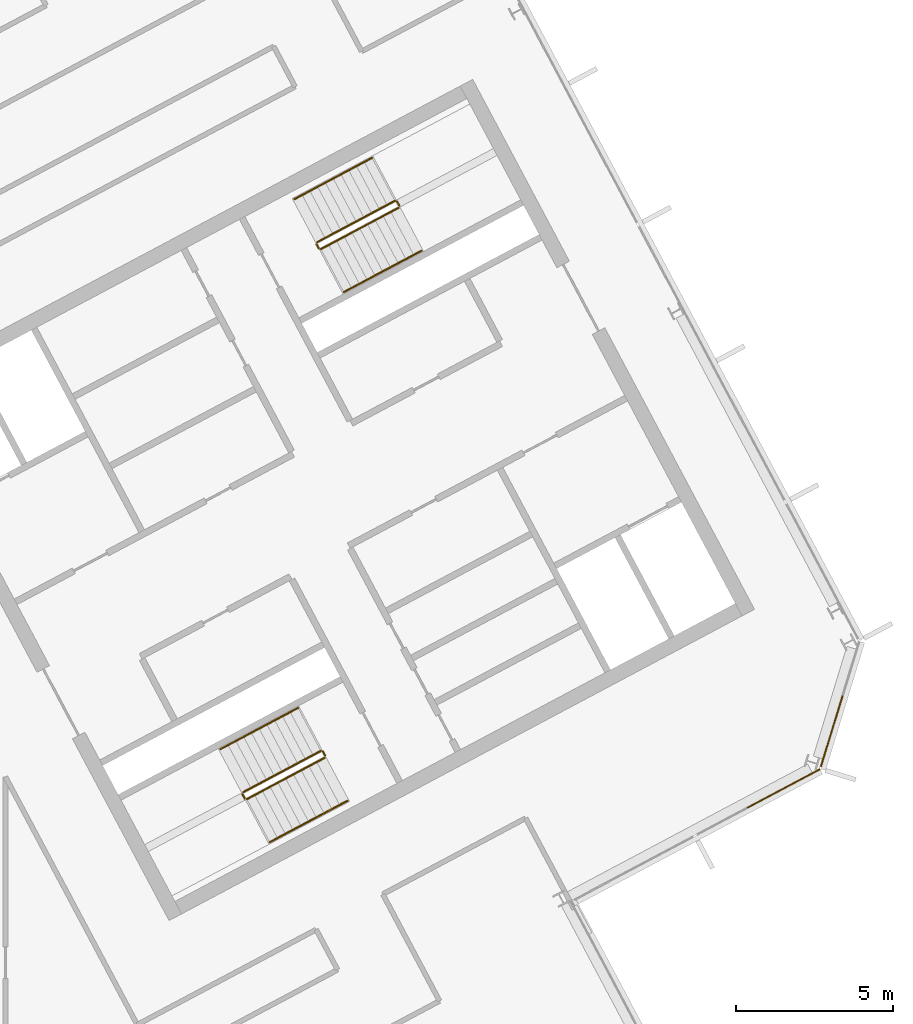
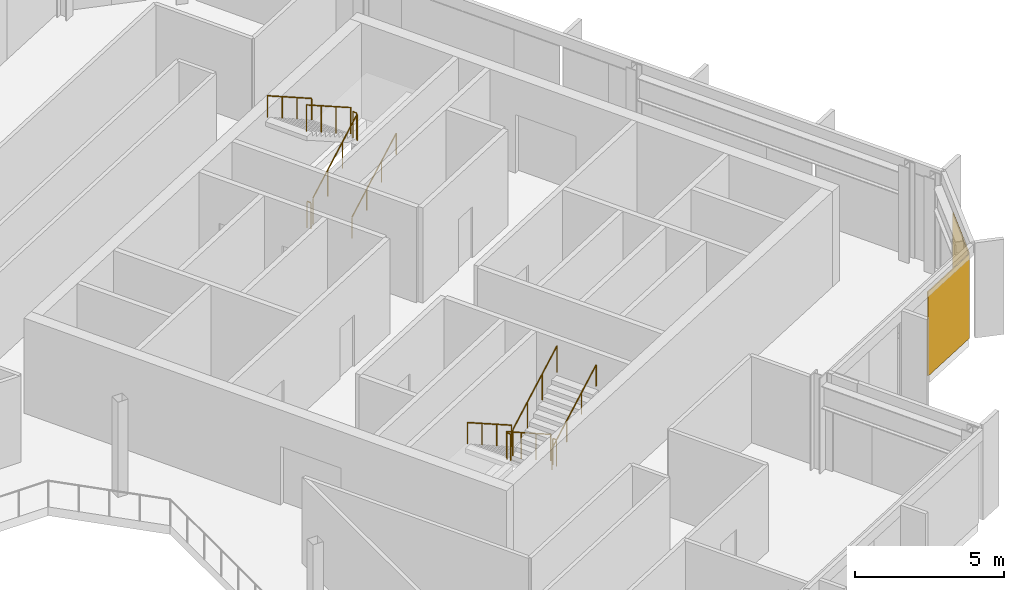
# One storey, part 25 of 26: 12 railings, 2 coverings, 2 elements without a shape of their own.
"""IFC4 building model written with IfcOpenShell, lengths in metres."""

import ifcopenshell
import ifcopenshell.guid

model = None  # the IFC model being written
_history = None  # IfcOwnerHistory: only IFC2X3 demands one
_inside = {}  # id of a spatial element -> (the spatial element, [elements in it])
_under = {}  # id of a project, library or spatial element -> (it, [spatial elements below it])
_declared = {}  # id of a project -> (the project, [libraries it declares])
_typed = {}  # id of a type object -> (the type object, [elements of that type])
_made_of = {}  # id of a material, layer set ... -> (it, [elements and type objects made of it])


def new_model(schema):
    """Start an empty IFC model of exactly this schema.

    Asked for "IFC4X3", IfcOpenShell would pick the latest addendum, in which some entities
    have other attributes; the version numbers below select the first issue.
    IFC2X3 requires an IfcOwnerHistory on every rooted entity: one is made here for all.
    """
    global model, _history
    if schema == "IFC4X3":
        model = ifcopenshell.file(schema_version=(4, 3, 0, 0))
    else:
        model = ifcopenshell.file(schema=schema)
    _inside.clear()
    _under.clear()
    _declared.clear()
    _typed.clear()
    _made_of.clear()
    _history = None
    if model.schema == "IFC2X3":
        org = make("IfcOrganization", Name="unknown")
        user = make(
            "IfcPersonAndOrganization",
            ThePerson=make("IfcPerson", FamilyName="unknown"),
            TheOrganization=org,
        )
        app = make(
            "IfcApplication",
            ApplicationDeveloper=org,
            Version="unknown",
            ApplicationFullName="unknown",
            ApplicationIdentifier="unknown",
        )
        _history = make(
            "IfcOwnerHistory",
            OwningUser=user,
            OwningApplication=app,
            ChangeAction="ADDED",
            CreationDate=0,
        )
    return model


def make(cls, **values):
    """One entity of the class cls with the attributes given. An attribute that is None is left unset."""
    return model.create_entity(
        cls, **{name: value for name, value in values.items() if value is not None}
    )


def rooted(cls, **values):
    """An entity with a GlobalId (a new one), such as an element, a storey or a relation."""
    return make(cls, GlobalId=ifcopenshell.guid.new(), OwnerHistory=_history, **values)


def si_unit(unit_type, name, prefix=None):
    """IfcSIUnit, for example si_unit("LENGTHUNIT", "METRE", prefix="MILLI")."""
    return make("IfcSIUnit", UnitType=unit_type, Prefix=prefix, Name=name)


def assignment(units):
    """IfcUnitAssignment: the units of a project."""
    return None if units is None else make("IfcUnitAssignment", Units=units)


def point(xyz):
    """IfcCartesianPoint."""
    return None if xyz is None else make("IfcCartesianPoint", Coordinates=xyz)


def direction(xyz):
    """IfcDirection."""
    return None if xyz is None else make("IfcDirection", DirectionRatios=xyz)


def frame(location, z_axis=None, x_axis=None):
    """IfcAxis2Placement3D, a coordinate frame: its origin and axes. An axis left out is left unset."""
    return make(
        "IfcAxis2Placement3D",
        Location=point(location),
        Axis=direction(z_axis),
        RefDirection=direction(x_axis),
    )


def frame_2d(location, x_axis=None):
    """IfcAxis2Placement2D, a coordinate frame in the plane: its origin and x axis."""
    return make(
        "IfcAxis2Placement2D", Location=point(location), RefDirection=direction(x_axis)
    )


def origin():
    """The frame at (0, 0, 0) with its axes left unset."""
    return frame((0.0, 0.0, 0.0))


def origin_2d():
    """The frame at (0, 0) in the plane with its x axis left unset."""
    return frame_2d((0.0, 0.0))


def place(relative_to, where):
    """IfcLocalPlacement: puts the frame where relative to a parent placement (None: the world)."""
    return make(
        "IfcLocalPlacement", PlacementRelTo=relative_to, RelativePlacement=where
    )


def context(
    kind, dimensions, precision=None, world=None, true_north=None, identifier=None
):
    """IfcGeometricRepresentationContext, for example the 3D "Model" context."""
    return make(
        "IfcGeometricRepresentationContext",
        ContextIdentifier=identifier,
        ContextType=kind,
        CoordinateSpaceDimension=dimensions,
        Precision=precision,
        WorldCoordinateSystem=world,
        TrueNorth=true_north,
    )


def subcontext(parent, identifier, kind, view, scale=None):
    """IfcGeometricRepresentationSubContext, for example "Body" below "Model"."""
    return make(
        "IfcGeometricRepresentationSubContext",
        ContextIdentifier=identifier,
        ContextType=kind,
        ParentContext=parent,
        TargetScale=scale,
        TargetView=view,
    )


def project(units=None, contexts=None):
    """IfcProject with its units and contexts."""
    return rooted(
        "IfcProject",
        Name="project",
        RepresentationContexts=contexts,
        UnitsInContext=assignment(units),
    )


def spatial(cls, under=None, at=None, **own):
    """A site, building, storey or space (cls), placed at a placement, below another one or the project."""
    s = rooted(cls, ObjectPlacement=at, **own)
    if under is not None:
        _under.setdefault(under.id(), (under, []))[1].append(s)
    return s


def polyline(points):
    """IfcPolyline through the points."""
    return make("IfcPolyline", Points=[point(p) for p in points])


def profile(cls, at=None, kind="AREA", **sizes):
    """A parametric profile (cls). Its sizes go by their IFC names, for example OverallWidth=200.0."""
    return make(cls, ProfileType=kind, Position=at, **sizes)


def rectangle(**sizes):
    """IfcRectangleProfileDef."""
    return profile("IfcRectangleProfileDef", **sizes)


def outline(outer, holes=None, kind="AREA"):
    """IfcArbitraryClosedProfileDef: a profile drawn as a closed curve; with holes, ...WithVoids."""
    if holes is None:
        return make("IfcArbitraryClosedProfileDef", ProfileType=kind, OuterCurve=outer)
    return make(
        "IfcArbitraryProfileDefWithVoids",
        ProfileType=kind,
        OuterCurve=outer,
        InnerCurves=holes,
    )


def extrude(swept, where, along, depth):
    """IfcExtrudedAreaSolid: the profile swept, set in the frame where, extruded along a direction by depth."""
    return make(
        "IfcExtrudedAreaSolid",
        SweptArea=swept,
        Position=where,
        ExtrudedDirection=direction(along),
        Depth=depth,
    )


def shape(context_of_items, identifier, shape_type, items):
    """IfcShapeRepresentation: the items that make up one representation, for example the "Body"."""
    return make(
        "IfcShapeRepresentation",
        ContextOfItems=context_of_items,
        RepresentationIdentifier=identifier,
        RepresentationType=shape_type,
        Items=items,
    )


def material(Name=None, Category=None):
    """IfcMaterial."""
    return make("IfcMaterial", Name=Name, Category=Category)


def layer(
    of_material, thickness, ventilated=None, Name=None, Category=None, Priority=None
):
    """IfcMaterialLayer: one layer of a wall or slab, of a material (None: an air gap)."""
    return make(
        "IfcMaterialLayer",
        Material=of_material,
        LayerThickness=thickness,
        IsVentilated=ventilated,
        Name=Name,
        Category=Category,
        Priority=Priority,
    )


def layer_set(layers, Name=None):
    """IfcMaterialLayerSet."""
    return make("IfcMaterialLayerSet", MaterialLayers=layers, LayerSetName=Name)


def made_of(thing, what):
    """Note that an element or type object is made of a material, layer set ...; save() writes the relation."""
    if what is not None:
        _made_of.setdefault(what.id(), (what, []))[1].append(thing)
    return thing


def type_object(cls, material=None, **own):
    """A type object (cls), such as IfcWallType, which elements share."""
    return made_of(rooted(cls, **own), material)


def element(
    cls,
    number,
    at=None,
    inside=None,
    cuts=None,
    type_object=None,
    material=None,
    context=None,
    identifier="Body",
    shape_type=None,
    held_by="IfcProductDefinitionShape",
    body=None,
    shapes=None,
    **own,
):
    """One element of the class cls, such as IfcWall. Its Tag is "e" and its number.

    at: its placement. inside: the storey or other place that contains it. cuts: it is an
    opening in that element (IfcRelVoidsElement). A single representation is given by context,
    identifier, shape_type and body (its items); several are given by shapes. held_by: the class
    of the entity that holds the representations. save() writes the other relations.
    """
    e = rooted(cls, Tag="e%d" % number, ObjectPlacement=at, **own)
    if body is not None:
        shapes = [shape(context, identifier, shape_type, body)]
    if shapes is not None:
        e.Representation = make(held_by, Representations=shapes)
    if inside is not None:
        _inside.setdefault(inside.id(), (inside, []))[1].append(e)
    if cuts is not None:
        rooted(
            "IfcRelVoidsElement", RelatingBuildingElement=cuts, RelatedOpeningElement=e
        )
    if type_object is not None:
        _typed.setdefault(type_object.id(), (type_object, []))[1].append(e)
    return made_of(e, material)


def aggregate(whole, parts):
    """IfcRelAggregates: a whole, such as a stair, and the parts it consists of."""
    return rooted("IfcRelAggregates", RelatingObject=whole, RelatedObjects=parts)


def save(model, path):
    """Write the relations noted so far, then the file.

    IfcRelAggregates (storeys below a building ...), IfcRelContainedInSpatialStructure (elements
    in a storey), IfcRelDefinesByType, IfcRelAssociatesMaterial and IfcRelDeclares: one each for
    every whole, place, type object, material and project.
    """
    for whole, parts in _under.values():
        aggregate(whole, parts)
    for where, things in _inside.values():
        rooted(
            "IfcRelContainedInSpatialStructure",
            RelatedElements=things,
            RelatingStructure=where,
        )
    for kind, things in _typed.values():
        rooted("IfcRelDefinesByType", RelatedObjects=things, RelatingType=kind)
    for what, things in _made_of.values():
        rooted("IfcRelAssociatesMaterial", RelatedObjects=things, RelatingMaterial=what)
    for by, libraries in _declared.values():
        rooted("IfcRelDeclares", RelatingContext=by, RelatedDefinitions=libraries)
    model.write(path)


model = new_model("IFC4")

# Units and contexts
model_context = context("Model", 3, precision=1e-05, world=origin(), true_north=direction((0.0, 1.0)))
body_context = subcontext(model_context, "Body", "Model", "MODEL_VIEW")
ifc_project = project(units=[si_unit("LENGTHUNIT", "METRE"), si_unit("AREAUNIT", "SQUARE_METRE"), si_unit("VOLUMEUNIT", "CUBIC_METRE"), si_unit("PLANEANGLEUNIT", "RADIAN"), si_unit("MASSUNIT", "GRAM", prefix="KILO")], contexts=[model_context])

# Site, building, storey
site_placement = place(None, origin())
site = spatial("IfcSite", under=ifc_project, at=site_placement, CompositionType="ELEMENT")
building_placement = place(site_placement, origin())
building = spatial("IfcBuilding", under=site, at=building_placement, Name="Cormorant Relay Tower", CompositionType="ELEMENT")
storey_placement = place(building_placement, frame((0.0, 0.0, 308.699951171875)))
storey = spatial("IfcBuildingStorey", under=building, at=storey_placement, Name="L70", CompositionType="ELEMENT", Elevation=308.699951171875)

# Curtain wall, covering
ifc_material_1 = material(Name="Aluminium 6063-T6 anodised bronze", Category="aluminium")
ifc_layer_1 = layer(ifc_material_1, 0.199951171875)
ifc_layer_set_1 = layer_set([ifc_layer_1], Name="CW1 unitised bronze curtain wall with vertical fins")
curtain_wall_type = type_object("IfcCurtainWallType", Name="CW1 unitised bronze curtain wall with vertical fins", PredefinedType="NOTDEFINED", material=ifc_layer_set_1)
curtain_wall_1_placement = place(storey_placement, origin())
curtain_wall_1 = element("IfcCurtainWall", 1, at=curtain_wall_1_placement, inside=storey, type_object=curtain_wall_type, Name="CW1 curtain wall 4", PredefinedType="NOTDEFINED")
ifc_material_2 = material(Name="Pale bronze anodised aluminium insulated panel", Category="aluminium")
ifc_layer_2 = layer(ifc_material_2, 0.0400390625)
ifc_layer_set_2 = layer_set([ifc_layer_2], Name="CW1 pale bronze insulated panel 40")
covering_type = type_object("IfcCoveringType", Name="CW1 pale bronze insulated panel 40", PredefinedType="CLADDING", material=ifc_layer_set_2)
covering_1_placement = place(storey_placement, frame((38.561767578125, 3.492431640625, 0.0), z_axis=(0.0, 0.0, 1.0), x_axis=(0.882947592859, 0.469471562786, 0.0)))
covering_1 = element("IfcCovering", 2, at=covering_1_placement, type_object=covering_type, Name="CW1 panel S03", PredefinedType="CLADDING", context=body_context, shape_type="SweptSolid", body=[
    extrude(rectangle(XDim=2.625, YDim=0.0400390625, at=origin_2d()), origin(), (0.0, 0.0, 1.0), 3.449951171875),
])
aggregate(curtain_wall_1, [covering_1])

curtain_wall_2_placement = place(storey_placement, origin())
curtain_wall_2 = element("IfcCurtainWall", 3, at=curtain_wall_2_placement, inside=storey, type_object=curtain_wall_type, Name="CW1 curtain wall 5", PredefinedType="NOTDEFINED")
covering_2_placement = place(storey_placement, frame((40.098388671875, 5.32421875, 0.0), z_axis=(0.0, 0.0, 1.0), x_axis=(0.292371704723, 0.956304755963, 0.0)))
covering_2 = element("IfcCovering", 4, at=covering_2_placement, type_object=covering_type, Name="CW1 panel S00", PredefinedType="CLADDING", context=body_context, shape_type="SweptSolid", body=[
    extrude(rectangle(XDim=2.36767578125, YDim=0.0400390625, at=origin_2d()), origin(), (0.0, 0.0, 1.0), 3.449951171875),
])
aggregate(curtain_wall_2, [covering_2])

# Railings
ifc_material_3 = material(Name="Steel ASTM A572 Grade 50 (Fy 345 MPa)", Category="steel")
railing_type_1 = type_object("IfcRailingType", Name="Stair guard 1100", PredefinedType="GUARDRAIL", material=ifc_material_3)
railing_1_placement = place(storey_placement, frame((23.83837890625, 4.6904296875, 0.17724609375)))
element("IfcRailing", 5, at=railing_1_placement, inside=storey, type_object=railing_type_1, Name="L70 B1 stair guard 1", PredefinedType="GUARDRAIL", context=body_context, shape_type="SweptSolid", body=[
    extrude(outline(polyline([(0.022216796875, 0.00927734375), (0.00927734375, 0.022216796875), (-0.00927734375, 0.022216796875), (-0.022216796875, 0.00927734375), (-0.022216796875, -0.00927734375), (-0.00927734375, -0.022216796875), (0.00927734375, -0.022216796875), (0.022216796875, -0.00927734375), (0.022216796875, 0.00927734375)])), frame((0.0, 0.0, 1.076171875), z_axis=(-0.746033882577, -0.396627473466, 0.534901947407), x_axis=(0.469429322983, -0.882970050864, 0.0)), (0.0, 0.0, 1.0), 3.31396484375),
    extrude(outline(polyline([(0.019287109375, 0.008056640625), (0.008056640625, 0.019287109375), (-0.008056640625, 0.019287109375), (-0.019287109375, 0.008056640625), (-0.019287109375, -0.008056640625), (-0.008056640625, -0.019287109375), (0.008056640625, -0.019287109375), (0.019287109375, -0.008056640625), (0.019287109375, 0.008056640625)])), origin(), (0.0, 0.0, 1.0), 1.052001953125),
    extrude(outline(polyline([(0.019287109375, 0.008056640625), (0.008056640625, 0.019287109375), (-0.008056640625, 0.019287109375), (-0.019287109375, 0.008056640625), (-0.019287109375, -0.008056640625), (-0.008056640625, -0.019287109375), (0.008056640625, -0.019287109375), (0.019287109375, -0.008056640625), (0.019287109375, 0.008056640625)])), frame((-0.82421875, -0.438232421875, 0.5908203125)), (0.0, 0.0, 1.0), 1.052001953125),
    extrude(outline(polyline([(0.019287109375, 0.008056640625), (0.008056640625, 0.019287109375), (-0.008056640625, 0.019287109375), (-0.019287109375, 0.008056640625), (-0.019287109375, -0.008056640625), (-0.008056640625, -0.019287109375), (0.008056640625, -0.019287109375), (0.019287109375, -0.008056640625), (0.019287109375, 0.008056640625)])), frame((-1.648193359375, -0.876220703125, 1.181884765625)), (0.0, 0.0, 1.0), 1.052001953125),
    extrude(outline(polyline([(0.019287109375, 0.008056640625), (0.008056640625, 0.019287109375), (-0.008056640625, 0.019287109375), (-0.019287109375, 0.008056640625), (-0.019287109375, -0.008056640625), (-0.008056640625, -0.019287109375), (0.008056640625, -0.019287109375), (0.019287109375, -0.008056640625), (0.019287109375, 0.008056640625)])), frame((-2.472412109375, -1.314453125, 1.772705078125)), (0.0, 0.0, 1.0), 1.052001953125),
])
railing_2_placement = place(storey_placement, frame((21.345458984375, 3.308349609375, 1.949951171875)))
element("IfcRailing", 6, at=railing_2_placement, inside=storey, type_object=railing_type_1, Name="L70 B1 stair guard 2", PredefinedType="GUARDRAIL", context=body_context, shape_type="SweptSolid", body=[
    extrude(outline(polyline([(0.022216796875, 0.00927734375), (0.00927734375, 0.022216796875), (-0.00927734375, 0.022216796875), (-0.022216796875, 0.00927734375), (-0.022216796875, -0.00927734375), (-0.00927734375, -0.022216796875), (0.00927734375, -0.022216796875), (0.022216796875, -0.00927734375), (0.022216796875, 0.00927734375)])), frame((0.0, 0.0, 1.076171875), z_axis=(0.46856034887, -0.8834314911, 0.0), x_axis=(0.8834314911, 0.46856034887, 0.0)), (0.0, 0.0, 1.0), 0.150146484375),
    extrude(outline(polyline([(0.019287109375, 0.008056640625), (0.008056640625, 0.019287109375), (-0.008056640625, 0.019287109375), (-0.019287109375, 0.008056640625), (-0.019287109375, -0.008056640625), (-0.008056640625, -0.019287109375), (0.008056640625, -0.019287109375), (0.019287109375, -0.008056640625), (0.019287109375, 0.008056640625)])), origin(), (0.0, 0.0, 1.0), 1.052001953125),
    extrude(outline(polyline([(0.019287109375, 0.008056640625), (0.008056640625, 0.019287109375), (-0.008056640625, 0.019287109375), (-0.019287109375, 0.008056640625), (-0.019287109375, -0.008056640625), (-0.008056640625, -0.019287109375), (0.008056640625, -0.019287109375), (0.019287109375, -0.008056640625), (0.019287109375, 0.008056640625)])), frame((0.0703125, -0.132568359375, 0.0)), (0.0, 0.0, 1.0), 1.052001953125),
])
railing_3_placement = place(storey_placement, frame((21.4833984375, 3.1552734375, 2.12744140625)))
element("IfcRailing", 7, at=railing_3_placement, inside=storey, type_object=railing_type_1, Name="L70 B1 stair guard 3", PredefinedType="GUARDRAIL", context=body_context, shape_type="SweptSolid", body=[
    extrude(outline(polyline([(0.022216796875, 0.00927734375), (0.00927734375, 0.022216796875), (-0.00927734375, 0.022216796875), (-0.022216796875, 0.00927734375), (-0.022216796875, -0.00927734375), (-0.00927734375, -0.022216796875), (0.00927734375, -0.022216796875), (0.022216796875, -0.00927734375), (0.022216796875, 0.00927734375)])), frame((0.0, 0.0, 1.076171875), z_axis=(0.746001213114, 0.396649272309, 0.534931345884), x_axis=(-0.469465464807, 0.882950835185, 0.0)), (0.0, 0.0, 1.0), 3.31396484375),
    extrude(outline(polyline([(0.019287109375, 0.008056640625), (0.008056640625, 0.019287109375), (-0.008056640625, 0.019287109375), (-0.019287109375, 0.008056640625), (-0.019287109375, -0.008056640625), (-0.008056640625, -0.019287109375), (0.008056640625, -0.019287109375), (0.019287109375, -0.008056640625), (0.019287109375, 0.008056640625)])), origin(), (0.0, 0.0, 1.0), 1.052001953125),
    extrude(outline(polyline([(0.019287109375, 0.008056640625), (0.008056640625, 0.019287109375), (-0.008056640625, 0.019287109375), (-0.019287109375, 0.008056640625), (-0.019287109375, -0.008056640625), (-0.008056640625, -0.019287109375), (0.008056640625, -0.019287109375), (0.019287109375, -0.008056640625), (0.019287109375, 0.008056640625)])), frame((0.823974609375, 0.438232421875, 0.5908203125)), (0.0, 0.0, 1.0), 1.052001953125),
    extrude(outline(polyline([(0.019287109375, 0.008056640625), (0.008056640625, 0.019287109375), (-0.008056640625, 0.019287109375), (-0.019287109375, 0.008056640625), (-0.019287109375, -0.008056640625), (-0.008056640625, -0.019287109375), (0.008056640625, -0.019287109375), (0.019287109375, -0.008056640625), (0.019287109375, 0.008056640625)])), frame((1.648193359375, 0.876220703125, 1.181884765625)), (0.0, 0.0, 1.0), 1.052001953125),
    extrude(outline(polyline([(0.019287109375, 0.008056640625), (0.008056640625, 0.019287109375), (-0.008056640625, 0.019287109375), (-0.019287109375, 0.008056640625), (-0.019287109375, -0.008056640625), (-0.008056640625, -0.019287109375), (0.008056640625, -0.019287109375), (0.019287109375, -0.008056640625), (0.019287109375, 0.008056640625)])), frame((2.47216796875, 1.314453125, 1.772705078125)), (0.0, 0.0, 1.0), 1.052001953125),
])
railing_4_placement = place(storey_placement, frame((23.906005859375, 4.669677734375, 0.0)))
element("IfcRailing", 8, at=railing_4_placement, inside=storey, type_object=railing_type_1, Name="L70 B1 stair guard 4", PredefinedType="GUARDRAIL", context=body_context, shape_type="SweptSolid", body=[
    extrude(outline(polyline([(0.022216796875, 0.00927734375), (0.00927734375, 0.022216796875), (-0.00927734375, 0.022216796875), (-0.022216796875, 0.00927734375), (-0.022216796875, -0.00927734375), (-0.00927734375, -0.022216796875), (0.00927734375, -0.022216796875), (0.022216796875, -0.00927734375), (0.022216796875, 0.00927734375)])), frame((0.0, 0.0, 1.076171875), z_axis=(0.469234640946, -0.883073525669, 0.0), x_axis=(0.883073525669, 0.469234640946, 0.0)), (0.0, 0.0, 1.0), 0.14990234375),
    extrude(outline(polyline([(0.019287109375, 0.008056640625), (0.008056640625, 0.019287109375), (-0.008056640625, 0.019287109375), (-0.019287109375, 0.008056640625), (-0.019287109375, -0.008056640625), (-0.008056640625, -0.019287109375), (0.008056640625, -0.019287109375), (0.019287109375, -0.008056640625), (0.019287109375, 0.008056640625)])), origin(), (0.0, 0.0, 1.0), 1.052001953125),
    extrude(outline(polyline([(0.019287109375, 0.008056640625), (0.008056640625, 0.019287109375), (-0.008056640625, 0.019287109375), (-0.019287109375, 0.008056640625), (-0.019287109375, -0.008056640625), (-0.008056640625, -0.019287109375), (0.008056640625, -0.019287109375), (0.019287109375, -0.008056640625), (0.019287109375, 0.008056640625)])), frame((0.0703125, -0.13232421875, 0.0)), (0.0, 0.0, 1.0), 1.052001953125),
])
railing_5_placement = place(storey_placement, frame((23.8408203125, 20.6611328125, 0.17724609375)))
element("IfcRailing", 9, at=railing_5_placement, inside=storey, type_object=railing_type_1, Name="L70 B2 stair guard 1", PredefinedType="GUARDRAIL", context=body_context, shape_type="SweptSolid", body=[
    extrude(outline(polyline([(0.022216796875, 0.00927734375), (0.00927734375, 0.022216796875), (-0.00927734375, 0.022216796875), (-0.022216796875, 0.00927734375), (-0.022216796875, -0.00927734375), (-0.00927734375, -0.022216796875), (0.00927734375, -0.022216796875), (0.022216796875, -0.00927734375), (0.022216796875, 0.00927734375)])), frame((0.0, 0.0, 1.076171875), z_axis=(0.746033882577, 0.396627473466, 0.534901947407), x_axis=(-0.469429322983, 0.882970050864, 0.0)), (0.0, 0.0, 1.0), 3.31396484375),
    extrude(outline(polyline([(0.019287109375, 0.008056640625), (0.008056640625, 0.019287109375), (-0.008056640625, 0.019287109375), (-0.019287109375, 0.008056640625), (-0.019287109375, -0.008056640625), (-0.008056640625, -0.019287109375), (0.008056640625, -0.019287109375), (0.019287109375, -0.008056640625), (0.019287109375, 0.008056640625)])), origin(), (0.0, 0.0, 1.0), 1.052001953125),
    extrude(outline(polyline([(0.019287109375, 0.008056640625), (0.008056640625, 0.019287109375), (-0.008056640625, 0.019287109375), (-0.019287109375, 0.008056640625), (-0.019287109375, -0.008056640625), (-0.008056640625, -0.019287109375), (0.008056640625, -0.019287109375), (0.019287109375, -0.008056640625), (0.019287109375, 0.008056640625)])), frame((0.82421875, 0.438232421875, 0.5908203125)), (0.0, 0.0, 1.0), 1.052001953125),
    extrude(outline(polyline([(0.019287109375, 0.008056640625), (0.008056640625, 0.019287109375), (-0.008056640625, 0.019287109375), (-0.019287109375, 0.008056640625), (-0.019287109375, -0.008056640625), (-0.008056640625, -0.019287109375), (0.008056640625, -0.019287109375), (0.019287109375, -0.008056640625), (0.019287109375, 0.008056640625)])), frame((1.648193359375, 0.876220703125, 1.181884765625)), (0.0, 0.0, 1.0), 1.052001953125),
    extrude(outline(polyline([(0.019287109375, 0.008056640625), (0.008056640625, 0.019287109375), (-0.008056640625, 0.019287109375), (-0.019287109375, 0.008056640625), (-0.019287109375, -0.008056640625), (-0.008056640625, -0.019287109375), (0.008056640625, -0.019287109375), (0.019287109375, -0.008056640625), (0.019287109375, 0.008056640625)])), frame((2.472412109375, 1.314453125, 1.772705078125)), (0.0, 0.0, 1.0), 1.052001953125),
])
railing_6_placement = place(storey_placement, frame((26.333740234375, 22.043212890625, 1.949951171875)))
element("IfcRailing", 10, at=railing_6_placement, inside=storey, type_object=railing_type_1, Name="L70 B2 stair guard 2", PredefinedType="GUARDRAIL", context=body_context, shape_type="SweptSolid", body=[
    extrude(outline(polyline([(0.022216796875, 0.00927734375), (0.00927734375, 0.022216796875), (-0.00927734375, 0.022216796875), (-0.022216796875, 0.00927734375), (-0.022216796875, -0.00927734375), (-0.00927734375, -0.022216796875), (0.00927734375, -0.022216796875), (0.022216796875, -0.00927734375), (0.022216796875, 0.00927734375)])), frame((0.0, 0.0, 1.076171875), z_axis=(-0.469234640946, 0.883073525669, 0.0), x_axis=(-0.883073525669, -0.469234640946, 0.0)), (0.0, 0.0, 1.0), 0.14990234375),
    extrude(outline(polyline([(0.019287109375, 0.008056640625), (0.008056640625, 0.019287109375), (-0.008056640625, 0.019287109375), (-0.019287109375, 0.008056640625), (-0.019287109375, -0.008056640625), (-0.008056640625, -0.019287109375), (0.008056640625, -0.019287109375), (0.019287109375, -0.008056640625), (0.019287109375, 0.008056640625)])), origin(), (0.0, 0.0, 1.0), 1.052001953125),
    extrude(outline(polyline([(0.019287109375, 0.008056640625), (0.008056640625, 0.019287109375), (-0.008056640625, 0.019287109375), (-0.019287109375, 0.008056640625), (-0.019287109375, -0.008056640625), (-0.008056640625, -0.019287109375), (0.008056640625, -0.019287109375), (0.019287109375, -0.008056640625), (0.019287109375, 0.008056640625)])), frame((-0.0703125, 0.13232421875, 0.0)), (0.0, 0.0, 1.0), 1.052001953125),
])
railing_7_placement = place(storey_placement, frame((26.19580078125, 22.1962890625, 2.12744140625)))
element("IfcRailing", 11, at=railing_7_placement, inside=storey, type_object=railing_type_1, Name="L70 B2 stair guard 3", PredefinedType="GUARDRAIL", context=body_context, shape_type="SweptSolid", body=[
    extrude(outline(polyline([(0.022216796875, 0.00927734375), (0.00927734375, 0.022216796875), (-0.00927734375, 0.022216796875), (-0.022216796875, 0.00927734375), (-0.022216796875, -0.00927734375), (-0.00927734375, -0.022216796875), (0.00927734375, -0.022216796875), (0.022216796875, -0.00927734375), (0.022216796875, 0.00927734375)])), frame((0.0, 0.0, 1.076171875), z_axis=(-0.746033882577, -0.396627473466, 0.534901947407), x_axis=(0.469429322983, -0.882970050864, 0.0)), (0.0, 0.0, 1.0), 3.31396484375),
    extrude(outline(polyline([(0.019287109375, 0.008056640625), (0.008056640625, 0.019287109375), (-0.008056640625, 0.019287109375), (-0.019287109375, 0.008056640625), (-0.019287109375, -0.008056640625), (-0.008056640625, -0.019287109375), (0.008056640625, -0.019287109375), (0.019287109375, -0.008056640625), (0.019287109375, 0.008056640625)])), origin(), (0.0, 0.0, 1.0), 1.052001953125),
    extrude(outline(polyline([(0.019287109375, 0.008056640625), (0.008056640625, 0.019287109375), (-0.008056640625, 0.019287109375), (-0.019287109375, 0.008056640625), (-0.019287109375, -0.008056640625), (-0.008056640625, -0.019287109375), (0.008056640625, -0.019287109375), (0.019287109375, -0.008056640625), (0.019287109375, 0.008056640625)])), frame((-0.82421875, -0.438232421875, 0.5908203125)), (0.0, 0.0, 1.0), 1.052001953125),
    extrude(outline(polyline([(0.019287109375, 0.008056640625), (0.008056640625, 0.019287109375), (-0.008056640625, 0.019287109375), (-0.019287109375, 0.008056640625), (-0.019287109375, -0.008056640625), (-0.008056640625, -0.019287109375), (0.008056640625, -0.019287109375), (0.019287109375, -0.008056640625), (0.019287109375, 0.008056640625)])), frame((-1.648193359375, -0.876220703125, 1.181884765625)), (0.0, 0.0, 1.0), 1.052001953125),
    extrude(outline(polyline([(0.019287109375, 0.008056640625), (0.008056640625, 0.019287109375), (-0.008056640625, 0.019287109375), (-0.019287109375, 0.008056640625), (-0.019287109375, -0.008056640625), (-0.008056640625, -0.019287109375), (0.008056640625, -0.019287109375), (0.019287109375, -0.008056640625), (0.019287109375, 0.008056640625)])), frame((-2.472412109375, -1.314453125, 1.772705078125)), (0.0, 0.0, 1.0), 1.052001953125),
])
railing_8_placement = place(storey_placement, frame((23.773193359375, 20.681640625, 0.0)))
element("IfcRailing", 12, at=railing_8_placement, inside=storey, type_object=railing_type_1, Name="L70 B2 stair guard 4", PredefinedType="GUARDRAIL", context=body_context, shape_type="SweptSolid", body=[
    extrude(outline(polyline([(0.022216796875, 0.00927734375), (0.00927734375, 0.022216796875), (-0.00927734375, 0.022216796875), (-0.022216796875, 0.00927734375), (-0.022216796875, -0.00927734375), (-0.00927734375, -0.022216796875), (0.00927734375, -0.022216796875), (0.022216796875, -0.00927734375), (0.022216796875, 0.00927734375)])), frame((0.0, 0.0, 1.076171875), z_axis=(-0.46856034887, 0.8834314911, 0.0), x_axis=(-0.8834314911, -0.46856034887, 0.0)), (0.0, 0.0, 1.0), 0.150146484375),
    extrude(outline(polyline([(0.019287109375, 0.008056640625), (0.008056640625, 0.019287109375), (-0.008056640625, 0.019287109375), (-0.019287109375, 0.008056640625), (-0.019287109375, -0.008056640625), (-0.008056640625, -0.019287109375), (0.008056640625, -0.019287109375), (0.019287109375, -0.008056640625), (0.019287109375, 0.008056640625)])), origin(), (0.0, 0.0, 1.0), 1.052001953125),
    extrude(outline(polyline([(0.019287109375, 0.008056640625), (0.008056640625, 0.019287109375), (-0.008056640625, 0.019287109375), (-0.019287109375, 0.008056640625), (-0.019287109375, -0.008056640625), (-0.008056640625, -0.019287109375), (0.008056640625, -0.019287109375), (0.019287109375, -0.008056640625), (0.019287109375, 0.008056640625)])), frame((-0.0703125, 0.132568359375, 0.0)), (0.0, 0.0, 1.0), 1.052001953125),
])
ifc_material_4 = material(Name="Steel ASTM A572 Grade 50 (Fy 345 MPa)", Category="steel")
railing_type_2 = type_object("IfcRailingType", Name="Stair handrail 900", PredefinedType="HANDRAIL", material=ifc_material_4)
railing_9_placement = place(storey_placement, frame((23.110595703125, 6.05908203125, 0.17724609375)))
element("IfcRailing", 13, at=railing_9_placement, inside=storey, type_object=railing_type_2, Name="L70 B1 stair handrail 1", PredefinedType="HANDRAIL", context=body_context, shape_type="SweptSolid", body=[
    extrude(outline(polyline([(0.022216796875, 0.00927734375), (0.00927734375, 0.022216796875), (-0.00927734375, 0.022216796875), (-0.022216796875, 0.00927734375), (-0.022216796875, -0.00927734375), (-0.00927734375, -0.022216796875), (0.00927734375, -0.022216796875), (0.022216796875, -0.00927734375), (0.022216796875, 0.00927734375)])), frame((0.0, 0.0, 0.8759765625), z_axis=(-0.745979412481, -0.396711350603, 0.534915713414), x_axis=(0.469533439143, -0.882914689835, 0.0)), (0.0, 0.0, 1.0), 3.31396484375),
    extrude(outline(polyline([(0.019287109375, 0.008056640625), (0.008056640625, 0.019287109375), (-0.008056640625, 0.019287109375), (-0.019287109375, 0.008056640625), (-0.019287109375, -0.008056640625), (-0.008056640625, -0.019287109375), (0.008056640625, -0.019287109375), (0.019287109375, -0.008056640625), (0.019287109375, 0.008056640625)])), origin(), (0.0, 0.0, 1.0), 0.851806640625),
    extrude(outline(polyline([(0.019287109375, 0.008056640625), (0.008056640625, 0.019287109375), (-0.008056640625, 0.019287109375), (-0.019287109375, 0.008056640625), (-0.019287109375, -0.008056640625), (-0.008056640625, -0.019287109375), (0.008056640625, -0.019287109375), (0.019287109375, -0.008056640625), (0.019287109375, 0.008056640625)])), frame((-0.823974609375, -0.438232421875, 0.5908203125)), (0.0, 0.0, 1.0), 0.851806640625),
    extrude(outline(polyline([(0.019287109375, 0.008056640625), (0.008056640625, 0.019287109375), (-0.008056640625, 0.019287109375), (-0.019287109375, 0.008056640625), (-0.019287109375, -0.008056640625), (-0.008056640625, -0.019287109375), (0.008056640625, -0.019287109375), (0.019287109375, -0.008056640625), (0.019287109375, 0.008056640625)])), frame((-1.648193359375, -0.87646484375, 1.181884765625)), (0.0, 0.0, 1.0), 0.851806640625),
    extrude(outline(polyline([(0.019287109375, 0.008056640625), (0.008056640625, 0.019287109375), (-0.008056640625, 0.019287109375), (-0.019287109375, 0.008056640625), (-0.019287109375, -0.008056640625), (-0.008056640625, -0.019287109375), (0.008056640625, -0.019287109375), (0.019287109375, -0.008056640625), (0.019287109375, 0.008056640625)])), frame((-2.47216796875, -1.314697265625, 1.772705078125)), (0.0, 0.0, 1.0), 0.851806640625),
])
railing_10_placement = place(storey_placement, frame((22.211181640625, 1.78662109375, 2.12744140625)))
element("IfcRailing", 14, at=railing_10_placement, inside=storey, type_object=railing_type_2, Name="L70 B1 stair handrail 2", PredefinedType="HANDRAIL", context=body_context, shape_type="SweptSolid", body=[
    extrude(outline(polyline([(0.022216796875, 0.00927734375), (0.00927734375, 0.022216796875), (-0.00927734375, 0.022216796875), (-0.022216796875, 0.00927734375), (-0.022216796875, -0.00927734375), (-0.00927734375, -0.022216796875), (0.00927734375, -0.022216796875), (0.022216796875, -0.00927734375), (0.022216796875, 0.00927734375)])), frame((0.0, 0.0, 0.8759765625), z_axis=(0.746001213114, 0.396649272309, 0.534931345884), x_axis=(-0.469465464807, 0.882950835185, 0.0)), (0.0, 0.0, 1.0), 3.31396484375),
    extrude(outline(polyline([(0.019287109375, 0.008056640625), (0.008056640625, 0.019287109375), (-0.008056640625, 0.019287109375), (-0.019287109375, 0.008056640625), (-0.019287109375, -0.008056640625), (-0.008056640625, -0.019287109375), (0.008056640625, -0.019287109375), (0.019287109375, -0.008056640625), (0.019287109375, 0.008056640625)])), origin(), (0.0, 0.0, 1.0), 0.851806640625),
    extrude(outline(polyline([(0.019287109375, 0.008056640625), (0.008056640625, 0.019287109375), (-0.008056640625, 0.019287109375), (-0.019287109375, 0.008056640625), (-0.019287109375, -0.008056640625), (-0.008056640625, -0.019287109375), (0.008056640625, -0.019287109375), (0.019287109375, -0.008056640625), (0.019287109375, 0.008056640625)])), frame((0.823974609375, 0.438232421875, 0.5908203125)), (0.0, 0.0, 1.0), 0.851806640625),
    extrude(outline(polyline([(0.019287109375, 0.008056640625), (0.008056640625, 0.019287109375), (-0.008056640625, 0.019287109375), (-0.019287109375, 0.008056640625), (-0.019287109375, -0.008056640625), (-0.008056640625, -0.019287109375), (0.008056640625, -0.019287109375), (0.019287109375, -0.008056640625), (0.019287109375, 0.008056640625)])), frame((1.648193359375, 0.876220703125, 1.181884765625)), (0.0, 0.0, 1.0), 0.851806640625),
    extrude(outline(polyline([(0.019287109375, 0.008056640625), (0.008056640625, 0.019287109375), (-0.008056640625, 0.019287109375), (-0.019287109375, 0.008056640625), (-0.019287109375, -0.008056640625), (-0.008056640625, -0.019287109375), (0.008056640625, -0.019287109375), (0.019287109375, -0.008056640625), (0.019287109375, 0.008056640625)])), frame((2.47216796875, 1.314453125, 1.772705078125)), (0.0, 0.0, 1.0), 0.851806640625),
])
railing_11_placement = place(storey_placement, frame((24.568603515625, 19.29248046875, 0.17724609375)))
element("IfcRailing", 15, at=railing_11_placement, inside=storey, type_object=railing_type_2, Name="L70 B2 stair handrail 1", PredefinedType="HANDRAIL", context=body_context, shape_type="SweptSolid", body=[
    extrude(outline(polyline([(0.022216796875, 0.00927734375), (0.00927734375, 0.022216796875), (-0.00927734375, 0.022216796875), (-0.022216796875, 0.00927734375), (-0.022216796875, -0.00927734375), (-0.00927734375, -0.022216796875), (0.00927734375, -0.022216796875), (0.022216796875, -0.00927734375), (0.022216796875, 0.00927734375)])), frame((0.0, 0.0, 0.8759765625), z_axis=(0.746001213114, 0.396649272309, 0.534931345884), x_axis=(-0.469465464807, 0.882950835185, 0.0)), (0.0, 0.0, 1.0), 3.31396484375),
    extrude(outline(polyline([(0.019287109375, 0.008056640625), (0.008056640625, 0.019287109375), (-0.008056640625, 0.019287109375), (-0.019287109375, 0.008056640625), (-0.019287109375, -0.008056640625), (-0.008056640625, -0.019287109375), (0.008056640625, -0.019287109375), (0.019287109375, -0.008056640625), (0.019287109375, 0.008056640625)])), origin(), (0.0, 0.0, 1.0), 0.851806640625),
    extrude(outline(polyline([(0.019287109375, 0.008056640625), (0.008056640625, 0.019287109375), (-0.008056640625, 0.019287109375), (-0.019287109375, 0.008056640625), (-0.019287109375, -0.008056640625), (-0.008056640625, -0.019287109375), (0.008056640625, -0.019287109375), (0.019287109375, -0.008056640625), (0.019287109375, 0.008056640625)])), frame((0.823974609375, 0.438232421875, 0.5908203125)), (0.0, 0.0, 1.0), 0.851806640625),
    extrude(outline(polyline([(0.019287109375, 0.008056640625), (0.008056640625, 0.019287109375), (-0.008056640625, 0.019287109375), (-0.019287109375, 0.008056640625), (-0.019287109375, -0.008056640625), (-0.008056640625, -0.019287109375), (0.008056640625, -0.019287109375), (0.019287109375, -0.008056640625), (0.019287109375, 0.008056640625)])), frame((1.648193359375, 0.876220703125, 1.181884765625)), (0.0, 0.0, 1.0), 0.851806640625),
    extrude(outline(polyline([(0.019287109375, 0.008056640625), (0.008056640625, 0.019287109375), (-0.008056640625, 0.019287109375), (-0.019287109375, 0.008056640625), (-0.019287109375, -0.008056640625), (-0.008056640625, -0.019287109375), (0.008056640625, -0.019287109375), (0.019287109375, -0.008056640625), (0.019287109375, 0.008056640625)])), frame((2.47216796875, 1.314453125, 1.772705078125)), (0.0, 0.0, 1.0), 0.851806640625),
])
railing_12_placement = place(storey_placement, frame((25.468017578125, 23.56494140625, 2.12744140625)))
element("IfcRailing", 16, at=railing_12_placement, inside=storey, type_object=railing_type_2, Name="L70 B2 stair handrail 2", PredefinedType="HANDRAIL", context=body_context, shape_type="SweptSolid", body=[
    extrude(outline(polyline([(0.022216796875, 0.00927734375), (0.00927734375, 0.022216796875), (-0.00927734375, 0.022216796875), (-0.022216796875, 0.00927734375), (-0.022216796875, -0.00927734375), (-0.00927734375, -0.022216796875), (0.00927734375, -0.022216796875), (0.022216796875, -0.00927734375), (0.022216796875, 0.00927734375)])), frame((0.0, 0.0, 0.8759765625), z_axis=(-0.745979412481, -0.396711350603, 0.534915713414), x_axis=(0.469533439143, -0.882914689835, 0.0)), (0.0, 0.0, 1.0), 3.31396484375),
    extrude(outline(polyline([(0.019287109375, 0.008056640625), (0.008056640625, 0.019287109375), (-0.008056640625, 0.019287109375), (-0.019287109375, 0.008056640625), (-0.019287109375, -0.008056640625), (-0.008056640625, -0.019287109375), (0.008056640625, -0.019287109375), (0.019287109375, -0.008056640625), (0.019287109375, 0.008056640625)])), origin(), (0.0, 0.0, 1.0), 0.851806640625),
    extrude(outline(polyline([(0.019287109375, 0.008056640625), (0.008056640625, 0.019287109375), (-0.008056640625, 0.019287109375), (-0.019287109375, 0.008056640625), (-0.019287109375, -0.008056640625), (-0.008056640625, -0.019287109375), (0.008056640625, -0.019287109375), (0.019287109375, -0.008056640625), (0.019287109375, 0.008056640625)])), frame((-0.823974609375, -0.438232421875, 0.5908203125)), (0.0, 0.0, 1.0), 0.851806640625),
    extrude(outline(polyline([(0.019287109375, 0.008056640625), (0.008056640625, 0.019287109375), (-0.008056640625, 0.019287109375), (-0.019287109375, 0.008056640625), (-0.019287109375, -0.008056640625), (-0.008056640625, -0.019287109375), (0.008056640625, -0.019287109375), (0.019287109375, -0.008056640625), (0.019287109375, 0.008056640625)])), frame((-1.648193359375, -0.87646484375, 1.181884765625)), (0.0, 0.0, 1.0), 0.851806640625),
    extrude(outline(polyline([(0.019287109375, 0.008056640625), (0.008056640625, 0.019287109375), (-0.008056640625, 0.019287109375), (-0.019287109375, 0.008056640625), (-0.019287109375, -0.008056640625), (-0.008056640625, -0.019287109375), (0.008056640625, -0.019287109375), (0.019287109375, -0.008056640625), (0.019287109375, 0.008056640625)])), frame((-2.47216796875, -1.314697265625, 1.772705078125)), (0.0, 0.0, 1.0), 0.851806640625),
])

save(model, "model.ifc")
